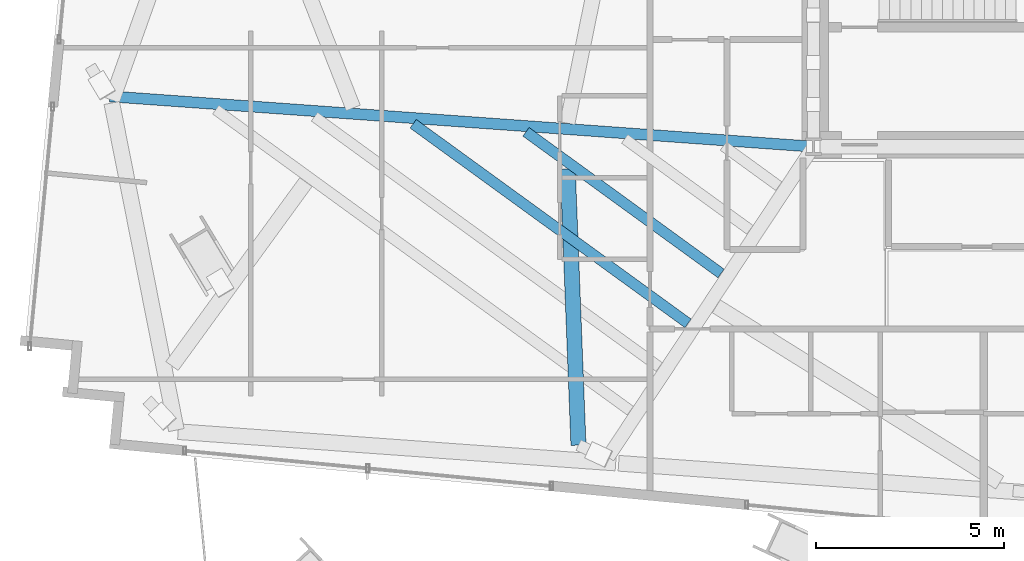
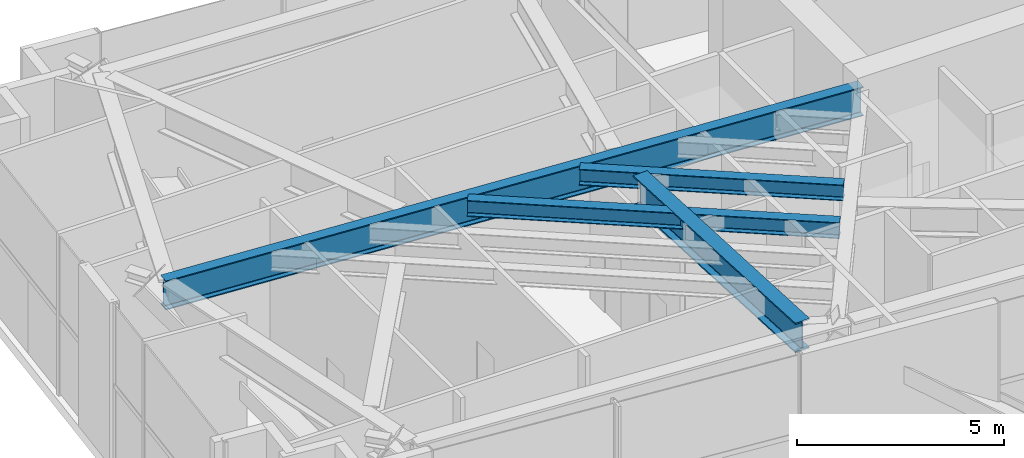
# One storey, part 4 of 23: 4 beams.
"""IFC4 building model written with IfcOpenShell, lengths in metres."""

import ifcopenshell
import ifcopenshell.guid

model = None  # the IFC model being written
_history = None  # IfcOwnerHistory: only IFC2X3 demands one
_inside = {}  # id of a spatial element -> (the spatial element, [elements in it])
_under = {}  # id of a project, library or spatial element -> (it, [spatial elements below it])
_declared = {}  # id of a project -> (the project, [libraries it declares])
_typed = {}  # id of a type object -> (the type object, [elements of that type])
_made_of = {}  # id of a material, layer set ... -> (it, [elements and type objects made of it])


def new_model(schema):
    """Start an empty IFC model of exactly this schema.

    Asked for "IFC4X3", IfcOpenShell would pick the latest addendum, in which some entities
    have other attributes; the version numbers below select the first issue.
    IFC2X3 requires an IfcOwnerHistory on every rooted entity: one is made here for all.
    """
    global model, _history
    if schema == "IFC4X3":
        model = ifcopenshell.file(schema_version=(4, 3, 0, 0))
    else:
        model = ifcopenshell.file(schema=schema)
    _inside.clear()
    _under.clear()
    _declared.clear()
    _typed.clear()
    _made_of.clear()
    _history = None
    if model.schema == "IFC2X3":
        org = make("IfcOrganization", Name="unknown")
        user = make(
            "IfcPersonAndOrganization",
            ThePerson=make("IfcPerson", FamilyName="unknown"),
            TheOrganization=org,
        )
        app = make(
            "IfcApplication",
            ApplicationDeveloper=org,
            Version="unknown",
            ApplicationFullName="unknown",
            ApplicationIdentifier="unknown",
        )
        _history = make(
            "IfcOwnerHistory",
            OwningUser=user,
            OwningApplication=app,
            ChangeAction="ADDED",
            CreationDate=0,
        )
    return model


def make(cls, **values):
    """One entity of the class cls with the attributes given. An attribute that is None is left unset."""
    return model.create_entity(
        cls, **{name: value for name, value in values.items() if value is not None}
    )


def rooted(cls, **values):
    """An entity with a GlobalId (a new one), such as an element, a storey or a relation."""
    return make(cls, GlobalId=ifcopenshell.guid.new(), OwnerHistory=_history, **values)


def si_unit(unit_type, name, prefix=None):
    """IfcSIUnit, for example si_unit("LENGTHUNIT", "METRE", prefix="MILLI")."""
    return make("IfcSIUnit", UnitType=unit_type, Prefix=prefix, Name=name)


def assignment(units):
    """IfcUnitAssignment: the units of a project."""
    return None if units is None else make("IfcUnitAssignment", Units=units)


def point(xyz):
    """IfcCartesianPoint."""
    return None if xyz is None else make("IfcCartesianPoint", Coordinates=xyz)


def direction(xyz):
    """IfcDirection."""
    return None if xyz is None else make("IfcDirection", DirectionRatios=xyz)


def frame(location, z_axis=None, x_axis=None):
    """IfcAxis2Placement3D, a coordinate frame: its origin and axes. An axis left out is left unset."""
    return make(
        "IfcAxis2Placement3D",
        Location=point(location),
        Axis=direction(z_axis),
        RefDirection=direction(x_axis),
    )


def frame_2d(location, x_axis=None):
    """IfcAxis2Placement2D, a coordinate frame in the plane: its origin and x axis."""
    return make(
        "IfcAxis2Placement2D", Location=point(location), RefDirection=direction(x_axis)
    )


def origin():
    """The frame at (0, 0, 0) with its axes left unset."""
    return frame((0.0, 0.0, 0.0))


def origin_2d():
    """The frame at (0, 0) in the plane with its x axis left unset."""
    return frame_2d((0.0, 0.0))


def place(relative_to, where):
    """IfcLocalPlacement: puts the frame where relative to a parent placement (None: the world)."""
    return make(
        "IfcLocalPlacement", PlacementRelTo=relative_to, RelativePlacement=where
    )


def context(
    kind, dimensions, precision=None, world=None, true_north=None, identifier=None
):
    """IfcGeometricRepresentationContext, for example the 3D "Model" context."""
    return make(
        "IfcGeometricRepresentationContext",
        ContextIdentifier=identifier,
        ContextType=kind,
        CoordinateSpaceDimension=dimensions,
        Precision=precision,
        WorldCoordinateSystem=world,
        TrueNorth=true_north,
    )


def subcontext(parent, identifier, kind, view, scale=None):
    """IfcGeometricRepresentationSubContext, for example "Body" below "Model"."""
    return make(
        "IfcGeometricRepresentationSubContext",
        ContextIdentifier=identifier,
        ContextType=kind,
        ParentContext=parent,
        TargetScale=scale,
        TargetView=view,
    )


def project(units=None, contexts=None):
    """IfcProject with its units and contexts."""
    return rooted(
        "IfcProject",
        Name="project",
        RepresentationContexts=contexts,
        UnitsInContext=assignment(units),
    )


def spatial(cls, under=None, at=None, **own):
    """A site, building, storey or space (cls), placed at a placement, below another one or the project."""
    s = rooted(cls, ObjectPlacement=at, **own)
    if under is not None:
        _under.setdefault(under.id(), (under, []))[1].append(s)
    return s


def profile(cls, at=None, kind="AREA", **sizes):
    """A parametric profile (cls). Its sizes go by their IFC names, for example OverallWidth=200.0."""
    return make(cls, ProfileType=kind, Position=at, **sizes)


def i_section(**sizes):
    """IfcIShapeProfileDef."""
    return profile("IfcIShapeProfileDef", **sizes)


def extrude(swept, where, along, depth):
    """IfcExtrudedAreaSolid: the profile swept, set in the frame where, extruded along a direction by depth."""
    return make(
        "IfcExtrudedAreaSolid",
        SweptArea=swept,
        Position=where,
        ExtrudedDirection=direction(along),
        Depth=depth,
    )


def shape(context_of_items, identifier, shape_type, items):
    """IfcShapeRepresentation: the items that make up one representation, for example the "Body"."""
    return make(
        "IfcShapeRepresentation",
        ContextOfItems=context_of_items,
        RepresentationIdentifier=identifier,
        RepresentationType=shape_type,
        Items=items,
    )


def source(mapping_origin, context_of_items, identifier, shape_type, items):
    """IfcRepresentationMap: a shape defined once, which mapped items show again and again."""
    return make(
        "IfcRepresentationMap",
        MappingOrigin=mapping_origin,
        MappedRepresentation=shape(context_of_items, identifier, shape_type, items),
    )


def transform(
    local_origin,
    x_axis=None,
    y_axis=None,
    z_axis=None,
    scale=None,
    scale2=None,
    scale3=None,
    uniform=True,
):
    """IfcCartesianTransformationOperator3D, or its non-uniform kind. x_axis, y_axis, z_axis: its Axis1, 2, 3."""
    if uniform:
        return make(
            "IfcCartesianTransformationOperator3D",
            Axis1=direction(x_axis),
            Axis2=direction(y_axis),
            LocalOrigin=point(local_origin),
            Scale=scale,
            Axis3=direction(z_axis),
        )
    return make(
        "IfcCartesianTransformationOperator3DnonUniform",
        Axis1=direction(x_axis),
        Axis2=direction(y_axis),
        LocalOrigin=point(local_origin),
        Scale=scale,
        Axis3=direction(z_axis),
        Scale2=scale2,
        Scale3=scale3,
    )


def mapped(mapping_source, mapping_target):
    """IfcMappedItem: shows the shape of a source again, moved by a transform."""
    return make(
        "IfcMappedItem", MappingSource=mapping_source, MappingTarget=mapping_target
    )


def material(Name=None, Category=None):
    """IfcMaterial."""
    return make("IfcMaterial", Name=Name, Category=Category)


def material_profile(
    of_material, cross_section, Name=None, Category=None, Priority=None
):
    """IfcMaterialProfile: a cross section and its material."""
    return make(
        "IfcMaterialProfile",
        Name=Name,
        Material=of_material,
        Profile=cross_section,
        Priority=Priority,
        Category=Category,
    )


def profile_set(profiles, Name=None, composite=None):
    """IfcMaterialProfileSet."""
    return make(
        "IfcMaterialProfileSet",
        Name=Name,
        MaterialProfiles=profiles,
        CompositeProfile=composite,
    )


def made_of(thing, what):
    """Note that an element or type object is made of a material, layer set ...; save() writes the relation."""
    if what is not None:
        _made_of.setdefault(what.id(), (what, []))[1].append(thing)
    return thing


def type_object(cls, material=None, **own):
    """A type object (cls), such as IfcWallType, which elements share."""
    return made_of(rooted(cls, **own), material)


def type_shapes(of_type, sources):
    """Give a type object the sources (RepresentationMaps) that its elements show as mapped items."""
    of_type.RepresentationMaps = sources


def element(
    cls,
    number,
    at=None,
    inside=None,
    cuts=None,
    type_object=None,
    material=None,
    context=None,
    identifier="Body",
    shape_type=None,
    held_by="IfcProductDefinitionShape",
    body=None,
    shapes=None,
    **own,
):
    """One element of the class cls, such as IfcWall. Its Tag is "e" and its number.

    at: its placement. inside: the storey or other place that contains it. cuts: it is an
    opening in that element (IfcRelVoidsElement). A single representation is given by context,
    identifier, shape_type and body (its items); several are given by shapes. held_by: the class
    of the entity that holds the representations. save() writes the other relations.
    """
    e = rooted(cls, Tag="e%d" % number, ObjectPlacement=at, **own)
    if body is not None:
        shapes = [shape(context, identifier, shape_type, body)]
    if shapes is not None:
        e.Representation = make(held_by, Representations=shapes)
    if inside is not None:
        _inside.setdefault(inside.id(), (inside, []))[1].append(e)
    if cuts is not None:
        rooted(
            "IfcRelVoidsElement", RelatingBuildingElement=cuts, RelatedOpeningElement=e
        )
    if type_object is not None:
        _typed.setdefault(type_object.id(), (type_object, []))[1].append(e)
    return made_of(e, material)


def aggregate(whole, parts):
    """IfcRelAggregates: a whole, such as a stair, and the parts it consists of."""
    return rooted("IfcRelAggregates", RelatingObject=whole, RelatedObjects=parts)


def save(model, path):
    """Write the relations noted so far, then the file.

    IfcRelAggregates (storeys below a building ...), IfcRelContainedInSpatialStructure (elements
    in a storey), IfcRelDefinesByType, IfcRelAssociatesMaterial and IfcRelDeclares: one each for
    every whole, place, type object, material and project.
    """
    for whole, parts in _under.values():
        aggregate(whole, parts)
    for where, things in _inside.values():
        rooted(
            "IfcRelContainedInSpatialStructure",
            RelatedElements=things,
            RelatingStructure=where,
        )
    for kind, things in _typed.values():
        rooted("IfcRelDefinesByType", RelatedObjects=things, RelatingType=kind)
    for what, things in _made_of.values():
        rooted("IfcRelAssociatesMaterial", RelatedObjects=things, RelatingMaterial=what)
    for by, libraries in _declared.values():
        rooted("IfcRelDeclares", RelatingContext=by, RelatedDefinitions=libraries)
    model.write(path)


model = new_model("IFC4")

# Units and contexts
model_context = context("Model", 3, precision=1e-05, world=origin(), true_north=direction((0.0, 1.0)))
body_context = subcontext(model_context, "Body", "Model", "MODEL_VIEW")
ifc_project = project(units=[si_unit("LENGTHUNIT", "METRE"), si_unit("AREAUNIT", "SQUARE_METRE"), si_unit("VOLUMEUNIT", "CUBIC_METRE"), si_unit("PLANEANGLEUNIT", "RADIAN"), si_unit("MASSUNIT", "GRAM", prefix="KILO")], contexts=[model_context])

# Site, building, storey
site_placement = place(None, origin())
site = spatial("IfcSite", under=ifc_project, at=site_placement, CompositionType="ELEMENT")
building_placement = place(site_placement, origin())
building = spatial("IfcBuilding", under=site, at=building_placement, Name="Astriad Promenade Condominiums", CompositionType="ELEMENT")
storey_placement = place(building_placement, frame((0.0, 0.0, 119.39990234375)))
storey = spatial("IfcBuildingStorey", under=building, at=storey_placement, Name="L34", CompositionType="ELEMENT", Elevation=119.39990234375)

# Beams
ifc_material = material(Name="Steel ASTM A992 Grade 50", Category="steel")
ifc_material_profile_1 = material_profile(ifc_material, i_section(OverallWidth=0.2919921875, OverallDepth=0.85888671875, WebThickness=0.01708984375, FlangeThickness=0.031005859375, FilletRadius=0.02294921875, at=origin_2d()), Name="W33X169")
ifc_profile_set_1 = profile_set([ifc_material_profile_1], Name="Steel ASTM A992 Grade 50")
beam_type_1 = type_object("IfcBeamType", Name="STEEL PRIMARY GIRDER W33X169", PredefinedType="BEAM", material=ifc_profile_set_1)
shared_shape_1 = source(origin(), body_context, "Body", "SweptSolid", [
    extrude(i_section(OverallWidth=0.2919921875, OverallDepth=0.85888671875, WebThickness=0.01708984375, FlangeThickness=0.031005859375, FilletRadius=0.02294921875, at=origin_2d()), origin(), (0.0, 0.0, 1.0), 18.723388671875),
])
type_shapes(beam_type_1, [shared_shape_1])
beam_1_placement = place(storey_placement, frame((7.684326171875, 18.737548828125, 4.3505859375), z_axis=(0.997455919115, -0.071285969329, 0.0), x_axis=(0.071285969329, 0.997455919115, 0.0)))
element("IfcBeam", 1, at=beam_1_placement, inside=storey, type_object=beam_type_1, Name="Primary Floor Girder PG-WM-L34", PredefinedType="BEAM", context=body_context, shape_type="MappedRepresentation", body=[
    mapped(shared_shape_1, transform((0.0, 0.0, 0.0), scale=1.0)),
])
ifc_material_profile_2 = material_profile(ifc_material, i_section(OverallWidth=0.283203125, OverallDepth=0.47216796875, WebThickness=0.013671875, FlangeThickness=0.022216796875, FilletRadius=0.01513671875, at=origin_2d()), Name="W18X97")
ifc_profile_set_2 = profile_set([ifc_material_profile_2], Name="Steel ASTM A992 Grade 50")
beam_type_2 = type_object("IfcBeamType", Name="STEEL FLOOR JOIST W18X97", PredefinedType="JOIST", material=ifc_profile_set_2)
shared_shape_2 = source(origin(), body_context, "Body", "SweptSolid", [
    extrude(i_section(OverallWidth=0.283203125, OverallDepth=0.47216796875, WebThickness=0.013671875, FlangeThickness=0.022216796875, FilletRadius=0.01513671875, at=origin_2d()), origin(), (0.0, 0.0, 1.0), 9.035400390625),
])
beam_2_placement = place(storey_placement, frame((15.753662109375, 18.009033203125, 4.5439453125), z_axis=(0.809158857092, -0.587589945446, 0.0), x_axis=(0.587589945446, 0.809158857092, 0.0)))
element("IfcBeam", 2, at=beam_2_placement, inside=storey, type_object=beam_type_2, Name="Secondary Composite Floor Joist JW1-3-L34", PredefinedType="JOIST", context=body_context, shape_type="MappedRepresentation", body=[
    mapped(shared_shape_2, transform((0.0, 0.0, 0.0), scale=1.0)),
])
shared_shape_3 = source(origin(), body_context, "Body", "SweptSolid", [
    extrude(i_section(OverallWidth=0.283203125, OverallDepth=0.47216796875, WebThickness=0.013671875, FlangeThickness=0.022216796875, FilletRadius=0.01513671875, at=origin_2d()), origin(), (0.0, 0.0, 1.0), 6.411865234375),
])
type_shapes(beam_type_2, [shared_shape_2, shared_shape_3])
beam_3_placement = place(storey_placement, frame((18.75439453125, 17.794677734375, 4.5439453125), z_axis=(0.809157390483, -0.587591965081, 0.0), x_axis=(0.587591965081, 0.809157390483, 0.0)))
element("IfcBeam", 3, at=beam_3_placement, inside=storey, type_object=beam_type_2, Name="Secondary Composite Floor Joist JW1-4-L34", PredefinedType="JOIST", context=body_context, shape_type="MappedRepresentation", body=[
    mapped(shared_shape_3, transform((0.0, 0.0, 0.0), scale=1.0)),
])
ifc_material_profile_3 = material_profile(ifc_material, i_section(OverallWidth=0.4013671875, OverallDepth=0.877197265625, WebThickness=0.022216796875, FlangeThickness=0.039794921875, FilletRadius=0.02294921875, at=origin_2d()), Name="W33X263")
ifc_profile_set_3 = profile_set([ifc_material_profile_3], Name="Steel ASTM A992 Grade 50")
beam_type_3 = type_object("IfcBeamType", Name="STEEL TRANSFER CARRIER GIRDER W33X263", PredefinedType="BEAM", material=ifc_profile_set_3)
shared_shape_4 = source(origin(), body_context, "Body", "SweptSolid", [
    extrude(i_section(OverallWidth=0.4013671875, OverallDepth=0.877197265625, WebThickness=0.022216796875, FlangeThickness=0.039794921875, FilletRadius=0.02294921875, at=origin_2d()), origin(), (0.0, 0.0, 1.0), 7.3486328125),
])
type_shapes(beam_type_3, [shared_shape_4])
beam_4_placement = place(storey_placement, frame((19.864990234375, 16.8037109375, 4.341552734375), z_axis=(0.038771238744, -0.999248112856, 0.0), x_axis=(0.999248112856, 0.038771238744, 0.0)))
element("IfcBeam", 4, at=beam_4_placement, inside=storey, type_object=beam_type_3, Name="Transfer Splice Carrier TRM-SP-PC02-L34", PredefinedType="BEAM", context=body_context, shape_type="MappedRepresentation", body=[
    mapped(shared_shape_4, transform((0.0, 0.0, 0.0), scale=1.0)),
])

save(model, "model.ifc")
